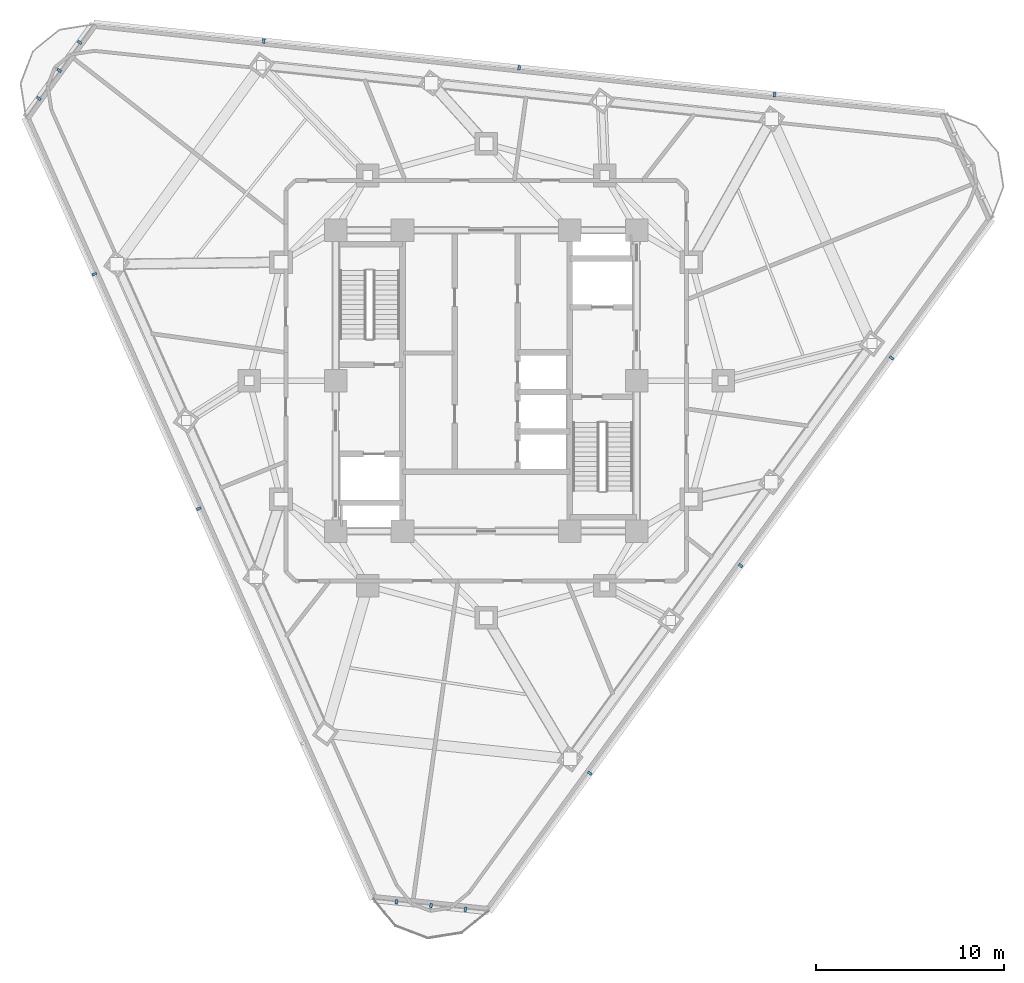
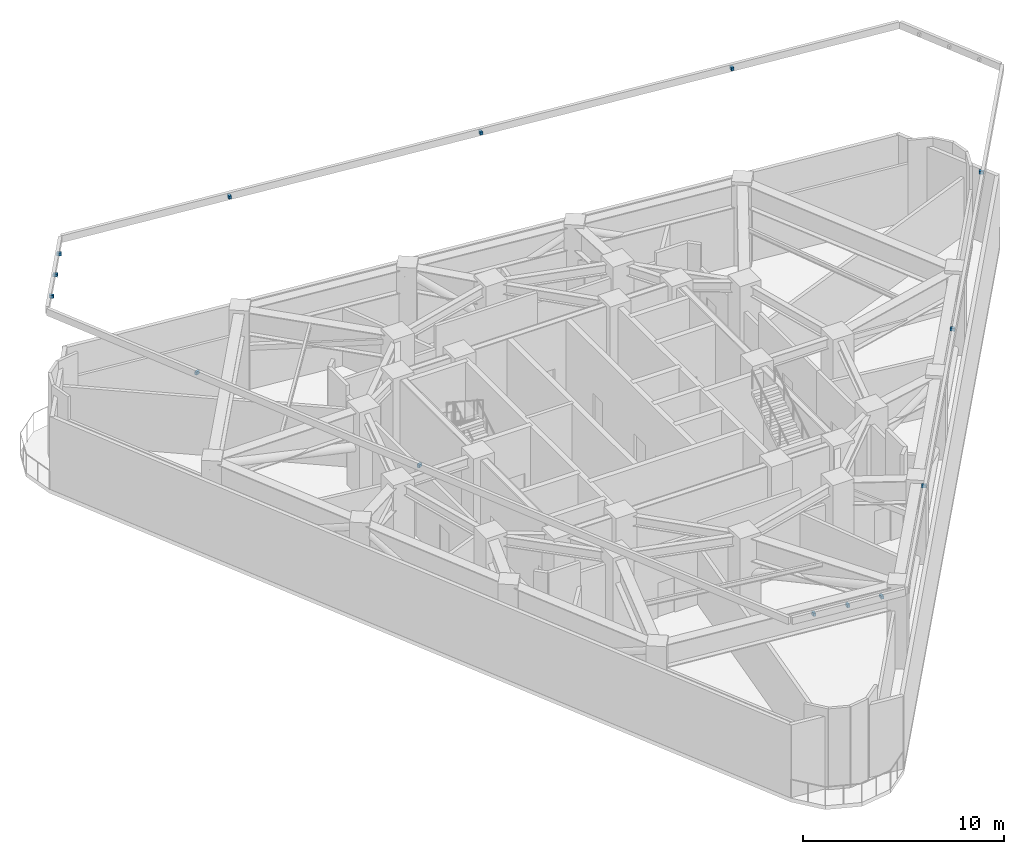
# One storey, part 6 of 10: 14 discrete accessories.
"""IFC4 building model written with IfcOpenShell, lengths in metres."""

from ifc_helpers import new_model, si_unit, direction, frame, origin, origin_2d, place, context, subcontext, project, spatial, rectangle, extrude, material, type_object, element, save


model = new_model("IFC4")

# Units and contexts
model_context = context("Model", 3, precision=1e-05, world=origin(), true_north=direction((0.0, 1.0)))
body_context = subcontext(model_context, "Body", "Model", "MODEL_VIEW")
ifc_project = project(units=[si_unit("LENGTHUNIT", "METRE"), si_unit("AREAUNIT", "SQUARE_METRE"), si_unit("VOLUMEUNIT", "CUBIC_METRE"), si_unit("PLANEANGLEUNIT", "RADIAN"), si_unit("MASSUNIT", "GRAM", prefix="KILO")], contexts=[model_context])

# Site, building, storey
site_placement = place(None, origin())
site = spatial("IfcSite", under=ifc_project, at=site_placement, CompositionType="ELEMENT")
building_placement = place(site_placement, origin())
building = spatial("IfcBuilding", under=site, at=building_placement, Name="Terralouvre Media Tower", CompositionType="ELEMENT")
storey_placement = place(building_placement, frame((0.0, 0.0, 213.800048828125)))
storey = spatial("IfcBuildingStorey", under=building, at=storey_placement, Name="L55", CompositionType="ELEMENT", Elevation=213.800048828125)

# Discrete accessories
ifc_material = material(Name="Anodised extruded aluminium 6063-T6", Category="aluminium")
discrete_accessory_type = type_object("IfcDiscreteAccessoryType", Name="Mullion Stand-Off Baguette Fixing Bracket BK-01", PredefinedType="BRACKET", material=ifc_material)
for number, where, z_axis, x_axis, name in (
    (1, (5.50732421875, -20.87353515625, 10.75), (0.0, 0.0, 1.0), (0.587785300879, 0.809016959074, 0.0), "CW-L55-F0 Louvre Bracket 01"),
    (2, (13.530517578125, -9.83056640625, 10.75), (0.0, 0.0, 1.0), (0.587785300879, 0.809016959074, 0.0), "CW-L55-F0 Louvre Bracket 02"),
    (3, (21.553955078125, 1.212646484375, 10.75), (0.0, 0.0, 1.0), (0.587785300879, 0.809016959074, 0.0), "CW-L55-F0 Louvre Bracket 03"),
    (4, (15.323486328125, 15.206298828125, 10.75), (0.0, 0.0, 1.0), (-0.994521885028, 0.104528561651, 0.0), "CW-L55-F1 Louvre Bracket 01"),
    (5, (1.748291015625, 16.633056640625, 10.75), (0.0, 0.0, 1.0), (-0.994521885028, 0.104528561651, 0.0), "CW-L55-F1 Louvre Bracket 02"),
    (6, (-11.826904296875, 18.059814453125, 10.75), (0.0, 0.0, 1.0), (-0.994521885028, 0.104528561651, 0.0), "CW-L55-F1 Louvre Bracket 03"),
    (7, (-20.830810546875, 5.667236328125, 10.75), (0.0, 0.0, 1.0), (0.406736679636, -0.913545441365, 0.0), "CW-L55-F2 Louvre Bracket 01"),
    (8, (-15.27880859375, -6.802490234375, 10.75), (0.0, 0.0, 1.0), (0.406736679636, -0.913545441365, 0.0), "CW-L55-F2 Louvre Bracket 02"),
    (9, (-4.76806640625, -27.7177734375, 10.75), (0.0, 0.0, 1.0), (0.994521944551, -0.104527995322, 0.0), "CW-L55-C0 Louvre Bracket 01"),
    (10, (-2.93359375, -27.91064453125, 10.75), (0.0, 0.0, 1.0), (0.994521944551, -0.104527995322, 0.0), "CW-L55-C0 Louvre Bracket 02"),
    (11, (-1.09912109375, -28.103515625, 10.75), (0.0, 0.0, 1.0), (0.994521944551, -0.104527995322, 0.0), "CW-L55-C0 Louvre Bracket 03"),
    (12, (-21.620361328125, 17.98828125, 10.75), (0.0, 0.0, 1.0), (-0.58778588998, -0.809016531067, 0.0), "CW-L55-C2 Louvre Bracket 01"),
    (13, (-22.70458984375, 16.495849609375, 10.75), (0.0, 0.0, 1.0), (-0.58778588998, -0.809016531067, 0.0), "CW-L55-C2 Louvre Bracket 02"),
    (14, (-23.788818359375, 15.00341796875, 10.75), (0.0, 0.0, 1.0), (-0.58778588998, -0.809016531067, 0.0), "CW-L55-C2 Louvre Bracket 03"),
):
    element("IfcDiscreteAccessory", number, at=place(storey_placement, frame(where, z_axis=z_axis, x_axis=x_axis)), inside=storey, type_object=discrete_accessory_type, Name=name, PredefinedType="BRACKET", context=body_context, shape_type="SweptSolid", body=[
        extrude(rectangle(XDim=0.139892578125, YDim=0.239990234375, at=origin_2d()), origin(), (0.0, 0.0, 1.0), 0.179931640625),
    ])

save(model, "model.ifc")
